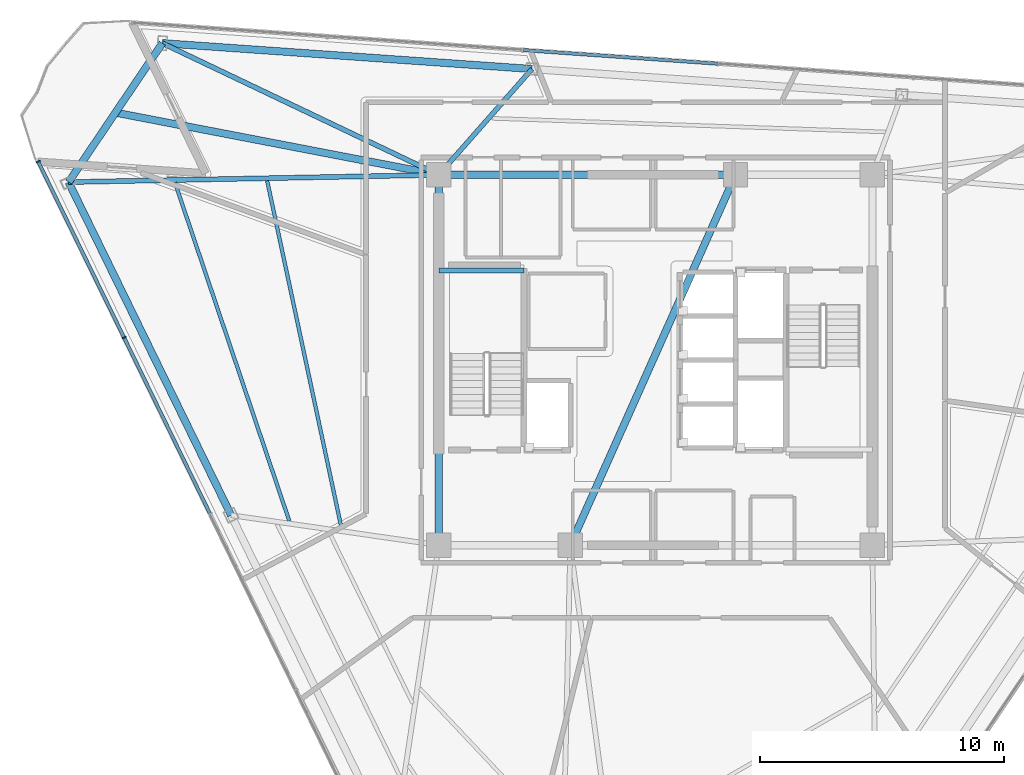
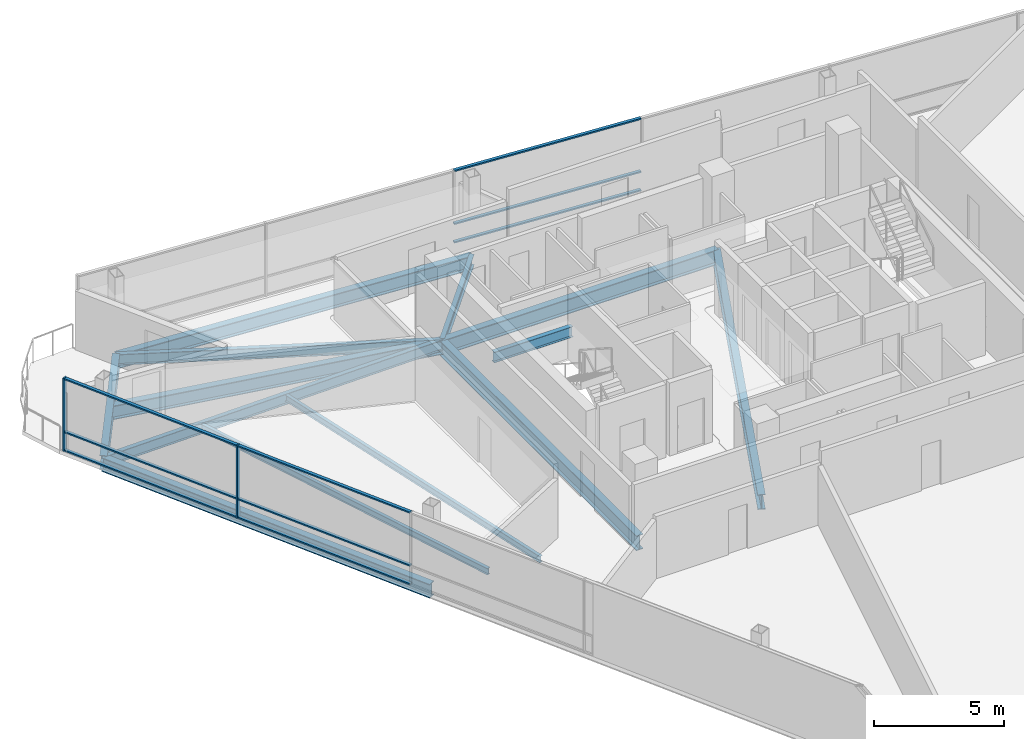
# One storey, part 5 of 13: 13 beams, 11 members, 2 elements without a shape of their own.
"""IFC4 building model written with IfcOpenShell, lengths in metres."""

from ifc_helpers import new_model, si_unit, direction, frame, origin, origin_2d, place, context, subcontext, project, spatial, rectangle, i_section, extrude, material, layer, layer_set, material_profile, profile_set, type_object, element, aggregate, save


model = new_model("IFC4")

# Units and contexts
model_context = context("Model", 3, precision=1e-05, world=origin(), true_north=direction((0.0, 1.0)))
body_context = subcontext(model_context, "Body", "Model", "MODEL_VIEW")
ifc_project = project(units=[si_unit("LENGTHUNIT", "METRE"), si_unit("AREAUNIT", "SQUARE_METRE"), si_unit("VOLUMEUNIT", "CUBIC_METRE"), si_unit("PLANEANGLEUNIT", "RADIAN"), si_unit("MASSUNIT", "GRAM", prefix="KILO")], contexts=[model_context])

# Site, building, storey
site_placement = place(None, origin())
site = spatial("IfcSite", under=ifc_project, at=site_placement, CompositionType="ELEMENT")
building_placement = place(site_placement, origin())
building = spatial("IfcBuilding", under=site, at=building_placement, Name="Tharavind Bronze Gate", CompositionType="ELEMENT")
storey_placement = place(building_placement, frame((0.0, 0.0, 234.25)))
storey = spatial("IfcBuildingStorey", under=building, at=storey_placement, Name="L60", CompositionType="ELEMENT", Elevation=234.25)

# Curtain wall, members
ifc_material_1 = material(Name="Anodised Bronze Aluminium", Category="aluminium")
ifc_layer = layer(ifc_material_1, 0.219970703125)
ifc_layer_set = layer_set([ifc_layer], Name="Anodised Bronze Aluminium")
curtain_wall_type = type_object("IfcCurtainWallType", Name="UNITISED CURTAIN WALL UPPER OFFICE", PredefinedType="USERDEFINED", material=ifc_layer_set)
curtain_wall_1_placement = place(storey_placement, origin())
curtain_wall_1 = element("IfcCurtainWall", 1, at=curtain_wall_1_placement, inside=storey, type_object=curtain_wall_type, Name="L60 unitised curtain wall upper office CW-L60-S1", ObjectType="UNITISED CURTAIN WALL", PredefinedType="USERDEFINED")
member_type_1 = type_object("IfcMemberType", Name="CURTAIN WALL BRONZE MULLION 65X180", PredefinedType="MULLION", material=ifc_material_1)
member_1_placement = place(storey_placement, frame((-25.337158203125, 8.140625, 0.0), z_axis=(0.0, 0.0, 1.0), x_axis=(0.438371146789, -0.898794046299, 0.0)))
member_1 = element("IfcMember", 2, at=member_1_placement, type_object=member_type_1, Name="CW-L60-S1 mullion 1", PredefinedType="MULLION", context=body_context, shape_type="SweptSolid", body=[
    extrude(rectangle(XDim=0.06494140625, YDim=0.179931640625, at=origin_2d()), origin(), (0.0, 0.0, 1.0), 3.419921875),
])
member_2_placement = place(storey_placement, frame((-21.8134765625, 0.916259765625, 0.0), z_axis=(0.0, 0.0, 1.0), x_axis=(0.438371146789, -0.898794046299, 0.0)))
member_2 = element("IfcMember", 3, at=member_2_placement, type_object=member_type_1, Name="CW-L60-S1 mullion 2", PredefinedType="MULLION", context=body_context, shape_type="SweptSolid", body=[
    extrude(rectangle(XDim=0.06494140625, YDim=0.179931640625, at=origin_2d()), origin(), (0.0, 0.0, 1.0), 3.419921875),
])
member_type_2 = type_object("IfcMemberType", Name="CURTAIN WALL BRONZE TRANSOM 65X140", PredefinedType="USERDEFINED", material=ifc_material_1)
member_3_placement = place(storey_placement, frame((-23.5751953125, 4.5283203125, 0.0), z_axis=(0.0, 0.0, 1.0), x_axis=(0.438371146789, -0.898794046299, 0.0)))
member_3 = element("IfcMember", 4, at=member_3_placement, type_object=member_type_2, Name="CW-L60-S1 transom TB1", ObjectType="TRANSOM", PredefinedType="USERDEFINED", context=body_context, shape_type="SweptSolid", body=[
    extrude(rectangle(XDim=7.985107421875, YDim=0.139892578125, at=origin_2d()), origin(), (0.0, 0.0, 1.0), 0.06494140625),
])
member_4_placement = place(storey_placement, frame((-23.5751953125, 4.5283203125, 0.867431640625), z_axis=(0.0, 0.0, 1.0), x_axis=(0.438371146789, -0.898794046299, 0.0)))
member_4 = element("IfcMember", 5, at=member_4_placement, type_object=member_type_2, Name="CW-L60-S1 transom TS1", ObjectType="TRANSOM", PredefinedType="USERDEFINED", context=body_context, shape_type="SweptSolid", body=[
    extrude(rectangle(XDim=7.985107421875, YDim=0.139892578125, at=origin_2d()), origin(), (0.0, 0.0, 1.0), 0.06494140625),
])
member_5_placement = place(storey_placement, frame((-23.5751953125, 4.5283203125, 3.35498046875), z_axis=(0.0, 0.0, 1.0), x_axis=(0.438371146789, -0.898794046299, 0.0)))
member_5 = element("IfcMember", 6, at=member_5_placement, type_object=member_type_2, Name="CW-L60-S1 transom TT1", ObjectType="TRANSOM", PredefinedType="USERDEFINED", context=body_context, shape_type="SweptSolid", body=[
    extrude(rectangle(XDim=7.985107421875, YDim=0.139892578125, at=origin_2d()), origin(), (0.0, 0.0, 1.0), 0.06494140625),
])
member_6_placement = place(storey_placement, frame((-20.051513671875, -2.696044921875, 0.0), z_axis=(0.0, 0.0, 1.0), x_axis=(0.438371146789, -0.898794046299, 0.0)))
member_6 = element("IfcMember", 7, at=member_6_placement, type_object=member_type_2, Name="CW-L60-S1 transom TB2", ObjectType="TRANSOM", PredefinedType="USERDEFINED", context=body_context, shape_type="SweptSolid", body=[
    extrude(rectangle(XDim=7.985107421875, YDim=0.139892578125, at=origin_2d()), origin(), (0.0, 0.0, 1.0), 0.06494140625),
])
member_7_placement = place(storey_placement, frame((-20.051513671875, -2.696044921875, 0.867431640625), z_axis=(0.0, 0.0, 1.0), x_axis=(0.438371146789, -0.898794046299, 0.0)))
member_7 = element("IfcMember", 8, at=member_7_placement, type_object=member_type_2, Name="CW-L60-S1 transom TS2", ObjectType="TRANSOM", PredefinedType="USERDEFINED", context=body_context, shape_type="SweptSolid", body=[
    extrude(rectangle(XDim=7.985107421875, YDim=0.139892578125, at=origin_2d()), origin(), (0.0, 0.0, 1.0), 0.06494140625),
])
member_8_placement = place(storey_placement, frame((-20.051513671875, -2.696044921875, 3.35498046875), z_axis=(0.0, 0.0, 1.0), x_axis=(0.438371146789, -0.898794046299, 0.0)))
member_8 = element("IfcMember", 9, at=member_8_placement, type_object=member_type_2, Name="CW-L60-S1 transom TT2", ObjectType="TRANSOM", PredefinedType="USERDEFINED", context=body_context, shape_type="SweptSolid", body=[
    extrude(rectangle(XDim=7.985107421875, YDim=0.139892578125, at=origin_2d()), origin(), (0.0, 0.0, 1.0), 0.06494140625),
])
aggregate(curtain_wall_1, [member_1, member_2, member_3, member_4, member_5, member_6, member_7, member_8])

curtain_wall_2_placement = place(storey_placement, origin())
curtain_wall_2 = element("IfcCurtainWall", 10, at=curtain_wall_2_placement, inside=storey, type_object=curtain_wall_type, Name="L60 unitised curtain wall upper office CW-L60-S3", ObjectType="UNITISED CURTAIN WALL", PredefinedType="USERDEFINED")
member_9_placement = place(storey_placement, frame((-1.44384765625, 12.442626953125, 0.0), z_axis=(0.0, 0.0, 1.0), x_axis=(-0.99756392851, 0.069758214822, 0.0)))
member_9 = element("IfcMember", 11, at=member_9_placement, type_object=member_type_2, Name="CW-L60-S3 transom TB4", ObjectType="TRANSOM", PredefinedType="USERDEFINED", context=body_context, shape_type="SweptSolid", body=[
    extrude(rectangle(XDim=7.985107421875, YDim=0.139892578125, at=origin_2d()), origin(), (0.0, 0.0, 1.0), 0.06494140625),
])
member_10_placement = place(storey_placement, frame((-1.44384765625, 12.442626953125, 0.867431640625), z_axis=(0.0, 0.0, 1.0), x_axis=(-0.99756392851, 0.069758214822, 0.0)))
member_10 = element("IfcMember", 12, at=member_10_placement, type_object=member_type_2, Name="CW-L60-S3 transom TS4", ObjectType="TRANSOM", PredefinedType="USERDEFINED", context=body_context, shape_type="SweptSolid", body=[
    extrude(rectangle(XDim=7.985107421875, YDim=0.139892578125, at=origin_2d()), origin(), (0.0, 0.0, 1.0), 0.06494140625),
])
member_11_placement = place(storey_placement, frame((-1.44384765625, 12.442626953125, 3.35498046875), z_axis=(0.0, 0.0, 1.0), x_axis=(-0.99756392851, 0.069758214822, 0.0)))
member_11 = element("IfcMember", 13, at=member_11_placement, type_object=member_type_2, Name="CW-L60-S3 transom TT4", ObjectType="TRANSOM", PredefinedType="USERDEFINED", context=body_context, shape_type="SweptSolid", body=[
    extrude(rectangle(XDim=7.985107421875, YDim=0.139892578125, at=origin_2d()), origin(), (0.0, 0.0, 1.0), 0.06494140625),
])
aggregate(curtain_wall_2, [member_9, member_10, member_11])

# Beams
ifc_material_2 = material(Name="Steel S355", Category="steel")
ifc_material_profile_1 = material_profile(ifc_material_2, i_section(OverallWidth=0.300048828125, OverallDepth=0.64990234375, WebThickness=0.01611328125, FlangeThickness=0.031005859375, at=origin_2d()), Name="HE650B")
ifc_profile_set_1 = profile_set([ifc_material_profile_1], Name="Steel S355")
beam_type_1 = type_object("IfcBeamType", Name="PRIMARY GIRDER HE650B", PredefinedType="USERDEFINED", material=ifc_profile_set_1)
for number, where, z_axis, x_axis, name in (
    (14, (-24.093505859375, 7.302001953125, -0.5048828125), (0.438370186885, -0.898794514475, 0.0), (0.898794514475, 0.438370186885, 0.0), "L60 primary girder he650b BM-L60-PRG01"),
    (15, (-5.0732421875, 11.944580078125, -0.5048828125), (-0.997563917828, 0.069758367582, 0.0), (-0.069758367582, -0.997563917828, 0.0), "L60 primary girder he650b BM-L60-PRG11"),
):
    element("IfcBeam", number, at=place(storey_placement, frame(where, z_axis=z_axis, x_axis=x_axis)), inside=storey, type_object=beam_type_1, Name=name, ObjectType="GIRDER", PredefinedType="USERDEFINED", context=body_context, shape_type="SweptSolid", body=[
        extrude(i_section(OverallWidth=0.300048828125, OverallDepth=0.64990234375, WebThickness=0.01611328125, FlangeThickness=0.031005859375, at=origin_2d()), origin(), (0.0, 0.0, 1.0), 15.210205078125),
    ])
beam_1_placement = place(storey_placement, frame((-20.246337890625, 13.005615234375, -0.5048828125), z_axis=(-0.559196123664, -0.829035400498, 0.0), x_axis=(0.829035400498, -0.559196123664, 0.0)))
element("IfcBeam", 16, at=beam_1_placement, inside=storey, type_object=beam_type_1, Name="L60 primary girder he650b BM-L60-PRG12", ObjectType="GIRDER", PredefinedType="USERDEFINED", context=body_context, shape_type="SweptSolid", body=[
    extrude(i_section(OverallWidth=0.300048828125, OverallDepth=0.64990234375, WebThickness=0.01611328125, FlangeThickness=0.031005859375, at=origin_2d()), origin(), (0.0, 0.0, 1.0), 6.8798828125),
])
beam_2_placement = place(storey_placement, frame((-8.89990234375, 7.60009765625, -0.5048828125), z_axis=(-0.981981954997, 0.18897470746, 0.0), x_axis=(-0.18897470746, -0.981981954997, 0.0)))
element("IfcBeam", 17, at=beam_2_placement, inside=storey, type_object=beam_type_1, Name="L60 primary girder he650b BM-L60-BLCSB", ObjectType="GIRDER", PredefinedType="USERDEFINED", context=body_context, shape_type="SweptSolid", body=[
    extrude(i_section(OverallWidth=0.300048828125, OverallDepth=0.64990234375, WebThickness=0.01611328125, FlangeThickness=0.031005859375, at=origin_2d()), origin(), (0.0, 0.0, 1.0), 13.513427734375),
])
ifc_material_profile_2 = material_profile(ifc_material_2, i_section(OverallWidth=0.199951171875, OverallDepth=0.5, WebThickness=0.01025390625, FlangeThickness=0.01611328125, at=origin_2d()), Name="IPE500")
ifc_profile_set_2 = profile_set([ifc_material_profile_2], Name="Steel S355")
beam_type_2 = type_object("IfcBeamType", Name="PRIMARY GIRDER IPE500", PredefinedType="USERDEFINED", material=ifc_profile_set_2)
beam_3_placement = place(storey_placement, frame((-8.89990234375, 3.679931640625, 1.35009765625), z_axis=(1.0, 0.0, 0.0), x_axis=(0.0, 1.0, 0.0)))
element("IfcBeam", 18, at=beam_3_placement, inside=storey, type_object=beam_type_2, Name="L60 primary girder ipe500 BM-LD-ST1-L60-1", ObjectType="GIRDER", PredefinedType="USERDEFINED", context=body_context, shape_type="SweptSolid", body=[
    extrude(i_section(OverallWidth=0.199951171875, OverallDepth=0.5, WebThickness=0.01025390625, FlangeThickness=0.01611328125, at=origin_2d()), origin(), (0.0, 0.0, 1.0), 3.5),
])
beam_4_placement = place(storey_placement, frame((-24.093505859375, 7.302001953125, -0.429931640625), z_axis=(0.999807586961, 0.019616040745, 0.0), x_axis=(-0.019616040745, 0.999807586961, 0.0)))
element("IfcBeam", 19, at=beam_4_placement, inside=storey, type_object=beam_type_2, Name="L60 primary girder ipe500 BM-L60-RAD01", ObjectType="GIRDER", PredefinedType="USERDEFINED", context=body_context, shape_type="SweptSolid", body=[
    extrude(i_section(OverallWidth=0.199951171875, OverallDepth=0.5, WebThickness=0.01025390625, FlangeThickness=0.01611328125, at=origin_2d()), origin(), (0.0, 0.0, 1.0), 15.196533203125),
])
beam_5_placement = place(storey_placement, frame((-5.0732421875, 11.944580078125, -0.429931640625), z_axis=(-0.660970052171, -0.750412280106, 0.0), x_axis=(0.750412280106, -0.660970052171, 0.0)))
element("IfcBeam", 20, at=beam_5_placement, inside=storey, type_object=beam_type_2, Name="L60 primary girder ipe500 BM-L60-RAD11", ObjectType="GIRDER", PredefinedType="USERDEFINED", context=body_context, shape_type="SweptSolid", body=[
    extrude(i_section(OverallWidth=0.199951171875, OverallDepth=0.5, WebThickness=0.01025390625, FlangeThickness=0.01611328125, at=origin_2d()), origin(), (0.0, 0.0, 1.0), 5.78955078125),
])
beam_6_placement = place(storey_placement, frame((-20.246337890625, 13.005615234375, -0.429931640625), z_axis=(0.902784743055, -0.430092673394, 0.0), x_axis=(0.430092673394, 0.902784743055, 0.0)))
element("IfcBeam", 21, at=beam_6_placement, inside=storey, type_object=beam_type_2, Name="L60 primary girder ipe500 BM-L60-RAD12", ObjectType="GIRDER", PredefinedType="USERDEFINED", context=body_context, shape_type="SweptSolid", body=[
    extrude(i_section(OverallWidth=0.199951171875, OverallDepth=0.5, WebThickness=0.01025390625, FlangeThickness=0.01611328125, at=origin_2d()), origin(), (0.0, 0.0, 1.0), 12.568359375),
])
ifc_material_profile_3 = material_profile(ifc_material_2, i_section(OverallWidth=0.300048828125, OverallDepth=0.699951171875, WebThickness=0.01708984375, FlangeThickness=0.031982421875, at=origin_2d()), Name="HE700B")
ifc_profile_set_3 = profile_set([ifc_material_profile_3], Name="Steel S355")
beam_type_3 = type_object("IfcBeamType", Name="RING GIRDER HE700B", PredefinedType="USERDEFINED", material=ifc_profile_set_3)
beam_7_placement = place(storey_placement, frame((3.280029296875, 7.60009765625, -0.530029296875), z_axis=(-1.0, 0.0, 0.0), x_axis=(0.0, -1.0, 0.0)))
element("IfcBeam", 22, at=beam_7_placement, inside=storey, type_object=beam_type_3, Name="L60 ring girder he700b BM-L60-CR5", ObjectType="GIRDER", PredefinedType="USERDEFINED", context=body_context, shape_type="SweptSolid", body=[
    extrude(i_section(OverallWidth=0.300048828125, OverallDepth=0.699951171875, WebThickness=0.01708984375, FlangeThickness=0.031982421875, at=origin_2d()), origin(), (0.0, 0.0, 1.0), 12.179931640625),
])
beam_8_placement = place(storey_placement, frame((-8.89990234375, 7.60009765625, -0.530029296875), z_axis=(0.0, -1.0, 0.0), x_axis=(1.0, 0.0, 0.0)))
element("IfcBeam", 23, at=beam_8_placement, inside=storey, type_object=beam_type_3, Name="L60 ring girder he700b BM-L60-CR6", ObjectType="GIRDER", PredefinedType="USERDEFINED", context=body_context, shape_type="SweptSolid", body=[
    extrude(i_section(OverallWidth=0.300048828125, OverallDepth=0.699951171875, WebThickness=0.01708984375, FlangeThickness=0.031982421875, at=origin_2d()), origin(), (0.0, 0.0, 1.0), 15.2001953125),
])
beam_9_placement = place(storey_placement, frame((-3.5, -7.60009765625, -0.530029296875), z_axis=(0.407361644566, 0.913266932795, 0.0), x_axis=(-0.913266932795, 0.407361644566, 0.0)))
element("IfcBeam", 24, at=beam_9_placement, inside=storey, type_object=beam_type_3, Name="L60 ring girder he700b BM-L60-CR7", ObjectType="GIRDER", PredefinedType="USERDEFINED", context=body_context, shape_type="SweptSolid", body=[
    extrude(i_section(OverallWidth=0.300048828125, OverallDepth=0.699951171875, WebThickness=0.01708984375, FlangeThickness=0.031982421875, at=origin_2d()), origin(), (0.0, 0.0, 1.0), 16.643798828125),
])
ifc_material_profile_4 = material_profile(ifc_material_2, i_section(OverallWidth=0.14990234375, OverallDepth=0.300048828125, WebThickness=0.007080078125, FlangeThickness=0.0107421875, at=origin_2d()), Name="IPE300")
ifc_profile_set_4 = profile_set([ifc_material_profile_4], Name="Steel S355")
beam_type_4 = type_object("IfcBeamType", Name="SECONDARY FLOOR JOIST IPE300", PredefinedType="JOIST", material=ifc_profile_set_4)
beam_10_placement = place(storey_placement, frame((-15.94287109375, 7.35791015625, -0.330078125), z_axis=(0.209253867675, -0.977861349509, 0.0), x_axis=(0.977861349509, 0.209253867675, 0.0)))
element("IfcBeam", 25, at=beam_10_placement, inside=storey, type_object=beam_type_4, Name="L60 secondary floor joist ipe300 BM-L60-JSTA01", PredefinedType="JOIST", context=body_context, shape_type="SweptSolid", body=[
    extrude(i_section(OverallWidth=0.14990234375, OverallDepth=0.300048828125, WebThickness=0.007080078125, FlangeThickness=0.0107421875, at=origin_2d()), origin(), (0.0, 0.0, 1.0), 14.600341796875),
])
beam_11_placement = place(storey_placement, frame((-19.728515625, 7.28369140625, -0.330078125), z_axis=(0.320165511118, -0.9473616234, 0.0), x_axis=(0.9473616234, 0.320165511118, 0.0)))
element("IfcBeam", 26, at=beam_11_placement, inside=storey, type_object=beam_type_4, Name="L60 secondary floor joist ipe300 BM-L60-JSTB01", PredefinedType="JOIST", context=body_context, shape_type="SweptSolid", body=[
    extrude(i_section(OverallWidth=0.14990234375, OverallDepth=0.300048828125, WebThickness=0.007080078125, FlangeThickness=0.0107421875, at=origin_2d()), origin(), (0.0, 0.0, 1.0), 14.665283203125),
])

save(model, "model.ifc")
